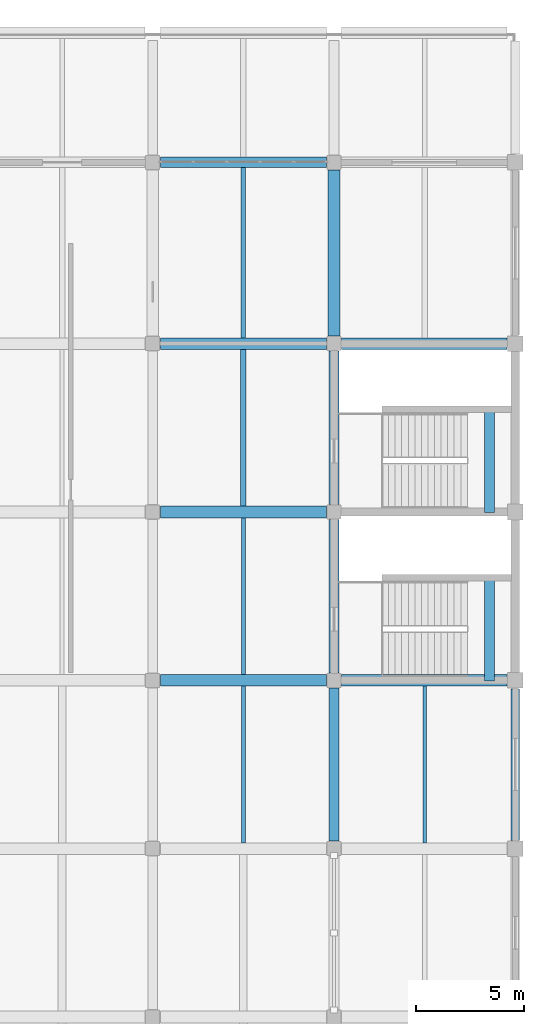
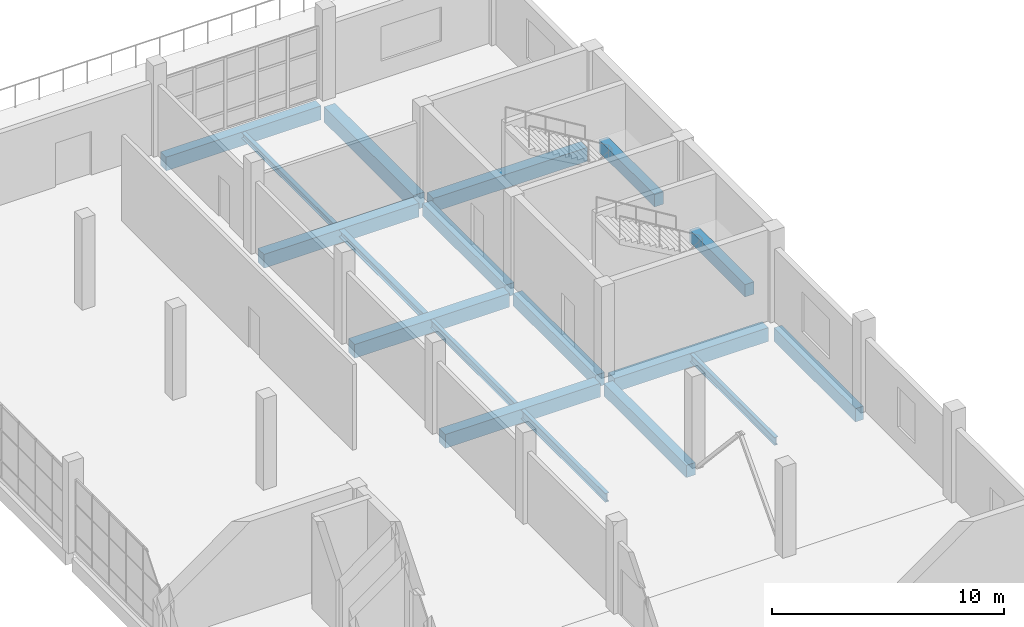
# One storey, part 45 of 79: 18 beams.
"""IFC4 building model written with IfcOpenShell, lengths in metres."""

from ifc_helpers import new_model, si_unit, direction, frame, origin, origin_2d, place, context, subcontext, project, spatial, rectangle, i_section, extrude, material, material_profile, profile_set, type_object, element, save


model = new_model("IFC4")

# Units and contexts
model_context = context("Model", 3, precision=1e-05, world=origin(), true_north=direction((0.0, 1.0)))
body_context = subcontext(model_context, "Body", "Model", "MODEL_VIEW")
ifc_project = project(units=[si_unit("LENGTHUNIT", "METRE"), si_unit("AREAUNIT", "SQUARE_METRE"), si_unit("VOLUMEUNIT", "CUBIC_METRE"), si_unit("PLANEANGLEUNIT", "RADIAN"), si_unit("MASSUNIT", "GRAM", prefix="KILO")], contexts=[model_context])

# Site, building, storey
site_placement = place(None, origin())
site = spatial("IfcSite", under=ifc_project, at=site_placement, CompositionType="ELEMENT")
building_placement = place(site_placement, origin())
building = spatial("IfcBuilding", under=site, at=building_placement, Name="Pellamere Symphony Hall", CompositionType="ELEMENT")
storey_placement = place(building_placement, frame((0.0, 0.0, 10.199951171875)))
storey = spatial("IfcBuildingStorey", under=building, at=storey_placement, Name="L02", CompositionType="ELEMENT", Elevation=10.199951171875)

# Beams
ifc_material_1 = material(Name="Concrete 40 MPa", Category="concrete")
ifc_material_profile_1 = material_profile(ifc_material_1, rectangle(XDim=0.550048828125, YDim=0.800048828125, at=origin_2d()), Name="RC 550x800")
ifc_profile_set_1 = profile_set([ifc_material_profile_1], Name="Concrete 40 MPa")
beam_type_1 = type_object("IfcBeamType", Name="RC CB-05 550x800", PredefinedType="BEAM", material=ifc_profile_set_1)
beam_1_placement = place(storey_placement, frame((164.39990234375, 85.550048828125, -0.679931640625), z_axis=(0.0, 1.0, 0.0), x_axis=(-1.0, 0.0, 0.0)))
element("IfcBeam", 1, at=beam_1_placement, inside=storey, type_object=beam_type_1, Name="Girder CB-05-Y1385 (L02)", PredefinedType="BEAM", context=body_context, shape_type="SweptSolid", body=[
    extrude(rectangle(XDim=0.550048828125, YDim=0.800048828125, at=origin_2d()), origin(), (0.0, 0.0, 1.0), 7.699951171875),
])
ifc_material_profile_2 = material_profile(ifc_material_1, rectangle(XDim=0.449951171875, YDim=0.64990234375, at=origin_2d()), Name="RC 450x650")
ifc_profile_set_2 = profile_set([ifc_material_profile_2], Name="Concrete 40 MPa")
beam_type_2 = type_object("IfcBeamType", Name="RC CB-08 450x650", PredefinedType="BEAM", material=ifc_profile_set_2)
for number, where, z_axis, x_axis, name in (
    (2, (164.39990234375, 62.14990234375, -0.60498046875), (0.0, 1.0, 0.0), (-1.0, 0.0, 0.0), "Girder CB-08-Y1382 (L02)"),
    (3, (164.39990234375, 69.949951171875, -0.60498046875), (0.0, 1.0, 0.0), (-1.0, 0.0, 0.0), "Girder CB-08-Y1383 (L02)"),
    (4, (164.39990234375, 77.75, -0.60498046875), (0.0, 1.0, 0.0), (-1.0, 0.0, 0.0), "Girder CB-08-Y1384 (L02)"),
):
    element("IfcBeam", number, at=place(storey_placement, frame(where, z_axis=z_axis, x_axis=x_axis)), inside=storey, type_object=beam_type_2, Name=name, PredefinedType="BEAM", context=body_context, shape_type="SweptSolid", body=[
        extrude(rectangle(XDim=0.449951171875, YDim=0.64990234375, at=origin_2d()), origin(), (0.0, 0.0, 1.0), 7.10009765625),
    ])
for number, where, z_axis, x_axis, name in (
    (5, (171.607421875, 69.580078125, 1.85498046875), (0.0, 1.0, 0.0), (-1.0, 0.0, 0.0), "Stair ST05-L02 Half Landing Support Beam (L02)"),
    (6, (171.607421875, 77.3798828125, 1.85498046875), (0.0, 1.0, 0.0), (-1.0, 0.0, 0.0), "Stair ST14-L02 Half Landing Support Beam (L02)"),
):
    element("IfcBeam", number, at=place(storey_placement, frame(where, z_axis=z_axis, x_axis=x_axis)), inside=storey, type_object=beam_type_2, Name=name, PredefinedType="BEAM", context=body_context, shape_type="SweptSolid", body=[
        extrude(rectangle(XDim=0.449951171875, YDim=0.64990234375, at=origin_2d()), origin(), (0.0, 0.0, 1.0), 4.780029296875),
    ])
ifc_material_profile_3 = material_profile(ifc_material_1, rectangle(XDim=0.39990234375, YDim=0.699951171875, at=origin_2d()), Name="RC 400x700")
ifc_profile_set_3 = profile_set([ifc_material_profile_3], Name="Concrete 40 MPa")
beam_type_3 = type_object("IfcBeamType", Name="RC CB-13 400x700", PredefinedType="SPANDREL", material=ifc_profile_set_3)
beam_2_placement = place(storey_placement, frame((172.800048828125, 62.18994140625, -0.6298828125), z_axis=(0.0, 1.0, 0.0), x_axis=(-1.0, 0.0, 0.0)))
element("IfcBeam", 7, at=beam_2_placement, inside=storey, type_object=beam_type_3, Name="Girder CB-13-Y1392 (L02)", PredefinedType="SPANDREL", context=body_context, shape_type="SweptSolid", body=[
    extrude(rectangle(XDim=0.39990234375, YDim=0.699951171875, at=origin_2d()), origin(), (0.0, 0.0, 1.0), 7.02001953125),
])
ifc_material_profile_4 = material_profile(ifc_material_1, rectangle(XDim=0.47998046875, YDim=0.719970703125, at=origin_2d()), Name="RC 480x720")
ifc_profile_set_4 = profile_set([ifc_material_profile_4], Name="Concrete 40 MPa")
beam_type_4 = type_object("IfcBeamType", Name="RC CB-14 480x720", PredefinedType="SPANDREL", material=ifc_profile_set_4)
beam_3_placement = place(storey_placement, frame((156.35009765625, 93.60009765625, -0.639892578125), z_axis=(1.0, 0.0, 0.0), x_axis=(0.0, 1.0, 0.0)))
element("IfcBeam", 8, at=beam_3_placement, inside=storey, type_object=beam_type_4, Name="Girder CB-14-X1188 (L02)", PredefinedType="SPANDREL", context=body_context, shape_type="SweptSolid", body=[
    extrude(rectangle(XDim=0.47998046875, YDim=0.719970703125, at=origin_2d()), origin(), (0.0, 0.0, 1.0), 7.699951171875),
])
ifc_material_profile_5 = material_profile(ifc_material_1, rectangle(XDim=0.5400390625, YDim=0.719970703125, at=origin_2d()), Name="RC 540x720")
ifc_profile_set_5 = profile_set([ifc_material_profile_5], Name="Concrete 40 MPa")
beam_type_5 = type_object("IfcBeamType", Name="RC CB-24 540x720", PredefinedType="BEAM", material=ifc_profile_set_5)
beam_4_placement = place(storey_placement, frame((156.35009765625, 69.60009765625, -0.639892578125), z_axis=(1.0, 0.0, 0.0), x_axis=(0.0, 1.0, 0.0)))
element("IfcBeam", 9, at=beam_4_placement, inside=storey, type_object=beam_type_5, Name="Girder CB-24-X1152 (L02)", PredefinedType="BEAM", context=body_context, shape_type="SweptSolid", body=[
    extrude(rectangle(XDim=0.5400390625, YDim=0.719970703125, at=origin_2d()), origin(), (0.0, 0.0, 1.0), 7.699951171875),
])
beam_5_placement = place(storey_placement, frame((164.75, 69.60009765625, -0.639892578125), z_axis=(1.0, 0.0, 0.0), x_axis=(0.0, 1.0, 0.0)))
element("IfcBeam", 10, at=beam_5_placement, inside=storey, type_object=beam_type_5, Name="Girder CB-24-X1153 (L02)", PredefinedType="BEAM", context=body_context, shape_type="SweptSolid", body=[
    extrude(rectangle(XDim=0.5400390625, YDim=0.719970703125, at=origin_2d()), origin(), (0.0, 0.0, 1.0), 7.659912109375),
])
for number, where, z_axis, x_axis, name in (
    (11, (156.35009765625, 77.39990234375, -0.639892578125), (1.0, 0.0, 0.0), (0.0, 1.0, 0.0), "Girder CB-24-X1165 (L02)"),
    (12, (156.35009765625, 85.199951171875, -0.639892578125), (1.0, 0.0, 0.0), (0.0, 1.0, 0.0), "Girder CB-24-X1175 (L02)"),
):
    element("IfcBeam", number, at=place(storey_placement, frame(where, z_axis=z_axis, x_axis=x_axis)), inside=storey, type_object=beam_type_5, Name=name, PredefinedType="BEAM", context=body_context, shape_type="SweptSolid", body=[
        extrude(rectangle(XDim=0.5400390625, YDim=0.719970703125, at=origin_2d()), origin(), (0.0, 0.0, 1.0), 7.699951171875),
    ])
beam_6_placement = place(storey_placement, frame((164.75, 85.199951171875, -0.639892578125), z_axis=(1.0, 0.0, 0.0), x_axis=(0.0, 1.0, 0.0)))
element("IfcBeam", 13, at=beam_6_placement, inside=storey, type_object=beam_type_5, Name="Girder CB-24-X1176 (L02)", PredefinedType="BEAM", context=body_context, shape_type="SweptSolid", body=[
    extrude(rectangle(XDim=0.5400390625, YDim=0.719970703125, at=origin_2d()), origin(), (0.0, 0.0, 1.0), 7.659912109375),
])
ifc_material_2 = material(Name="Steel CSA G40.21 350W", Category="steel")
ifc_material_profile_6 = material_profile(ifc_material_2, i_section(OverallWidth=0.19091796875, OverallDepth=0.4599609375, WebThickness=0.010009765625, FlangeThickness=0.014404296875, at=origin_2d()), Name="W460X82")
ifc_profile_set_6 = profile_set([ifc_material_profile_6], Name="Steel CSA G40.21 350W")
beam_type_6 = type_object("IfcBeamType", Name="Steel Joist SB-17 W460X82", PredefinedType="JOIST", material=ifc_profile_set_6)
beam_7_placement = place(storey_placement, frame((160.199951171875, 62.070068359375, -0.52490234375), z_axis=(0.0, 1.0, 0.0), x_axis=(-1.0, 0.0, 0.0)))
element("IfcBeam", 14, at=beam_7_placement, inside=storey, type_object=beam_type_6, Name="Secondary Floor Beam SB-17-M1908 (L02)", PredefinedType="JOIST", context=body_context, shape_type="SweptSolid", body=[
    extrude(i_section(OverallWidth=0.19091796875, OverallDepth=0.4599609375, WebThickness=0.010009765625, FlangeThickness=0.014404296875, at=origin_2d()), origin(), (0.0, 0.0, 1.0), 7.260009765625),
])
ifc_material_profile_7 = material_profile(ifc_material_2, i_section(OverallWidth=0.179931640625, OverallDepth=0.4130859375, WebThickness=0.009765625, FlangeThickness=0.01513671875, at=origin_2d()), Name="W410X74")
ifc_profile_set_7 = profile_set([ifc_material_profile_7], Name="Steel CSA G40.21 350W")
beam_type_7 = type_object("IfcBeamType", Name="Steel Joist SB-19 W410X74", PredefinedType="JOIST", material=ifc_profile_set_7)
beam_8_placement = place(storey_placement, frame((160.199951171875, 69.8701171875, -0.50146484375), z_axis=(0.0, 1.0, 0.0), x_axis=(-1.0, 0.0, 0.0)))
element("IfcBeam", 15, at=beam_8_placement, inside=storey, type_object=beam_type_7, Name="Secondary Floor Beam SB-19-M1909 (L02)", PredefinedType="JOIST", context=body_context, shape_type="SweptSolid", body=[
    extrude(i_section(OverallWidth=0.179931640625, OverallDepth=0.4130859375, WebThickness=0.009765625, FlangeThickness=0.01513671875, at=origin_2d()), origin(), (0.0, 0.0, 1.0), 7.259765625),
])
beam_9_placement = place(storey_placement, frame((168.60009765625, 62.070068359375, -0.50146484375), z_axis=(0.0, 1.0, 0.0), x_axis=(-1.0, 0.0, 0.0)))
element("IfcBeam", 16, at=beam_9_placement, inside=storey, type_object=beam_type_7, Name="Secondary Floor Beam SB-19-M2008 (L02)", PredefinedType="JOIST", context=body_context, shape_type="SweptSolid", body=[
    extrude(i_section(OverallWidth=0.179931640625, OverallDepth=0.4130859375, WebThickness=0.009765625, FlangeThickness=0.01513671875, at=origin_2d()), origin(), (0.0, 0.0, 1.0), 7.260009765625),
])
ifc_material_profile_8 = material_profile(ifc_material_2, i_section(OverallWidth=0.25390625, OverallDepth=0.35302734375, WebThickness=0.009521484375, FlangeThickness=0.016357421875, at=origin_2d()), Name="W360X91")
ifc_profile_set_8 = profile_set([ifc_material_profile_8], Name="Steel CSA G40.21 350W")
beam_type_8 = type_object("IfcBeamType", Name="Steel Joist SB-20 W360X91", PredefinedType="JOIST", material=ifc_profile_set_8)
beam_10_placement = place(storey_placement, frame((160.199951171875, 77.669921875, -0.471435546875), z_axis=(0.0, 1.0, 0.0), x_axis=(-1.0, 0.0, 0.0)))
element("IfcBeam", 17, at=beam_10_placement, inside=storey, type_object=beam_type_8, Name="Secondary Floor Beam SB-20-M1910 (L02)", PredefinedType="JOIST", context=body_context, shape_type="SweptSolid", body=[
    extrude(i_section(OverallWidth=0.25390625, OverallDepth=0.35302734375, WebThickness=0.009521484375, FlangeThickness=0.016357421875, at=origin_2d()), origin(), (0.0, 0.0, 1.0), 7.260009765625),
])
ifc_material_profile_9 = material_profile(ifc_material_2, i_section(OverallWidth=0.202880859375, OverallDepth=0.302978515625, WebThickness=0.007568359375, FlangeThickness=0.01318359375, at=origin_2d()), Name="W310X60")
ifc_profile_set_9 = profile_set([ifc_material_profile_9], Name="Steel CSA G40.21 350W")
beam_type_9 = type_object("IfcBeamType", Name="Steel Joist SB-23 W310X60", PredefinedType="JOIST", material=ifc_profile_set_9)
beam_11_placement = place(storey_placement, frame((160.199951171875, 85.469970703125, -0.446533203125), z_axis=(0.0, 1.0, 0.0), x_axis=(-1.0, 0.0, 0.0)))
element("IfcBeam", 18, at=beam_11_placement, inside=storey, type_object=beam_type_9, Name="Secondary Floor Beam SB-23-M1911 (L02)", PredefinedType="JOIST", context=body_context, shape_type="SweptSolid", body=[
    extrude(i_section(OverallWidth=0.202880859375, OverallDepth=0.302978515625, WebThickness=0.007568359375, FlangeThickness=0.01318359375, at=origin_2d()), origin(), (0.0, 0.0, 1.0), 7.89013671875),
])

save(model, "model.ifc")
